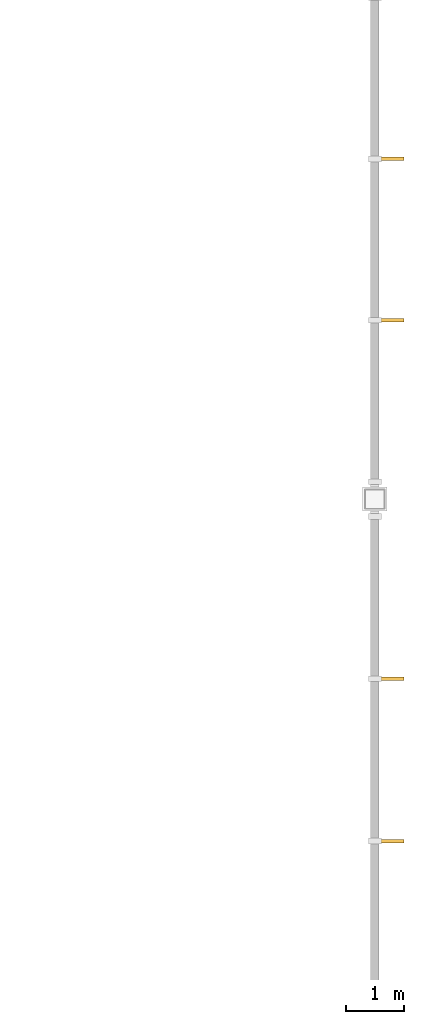
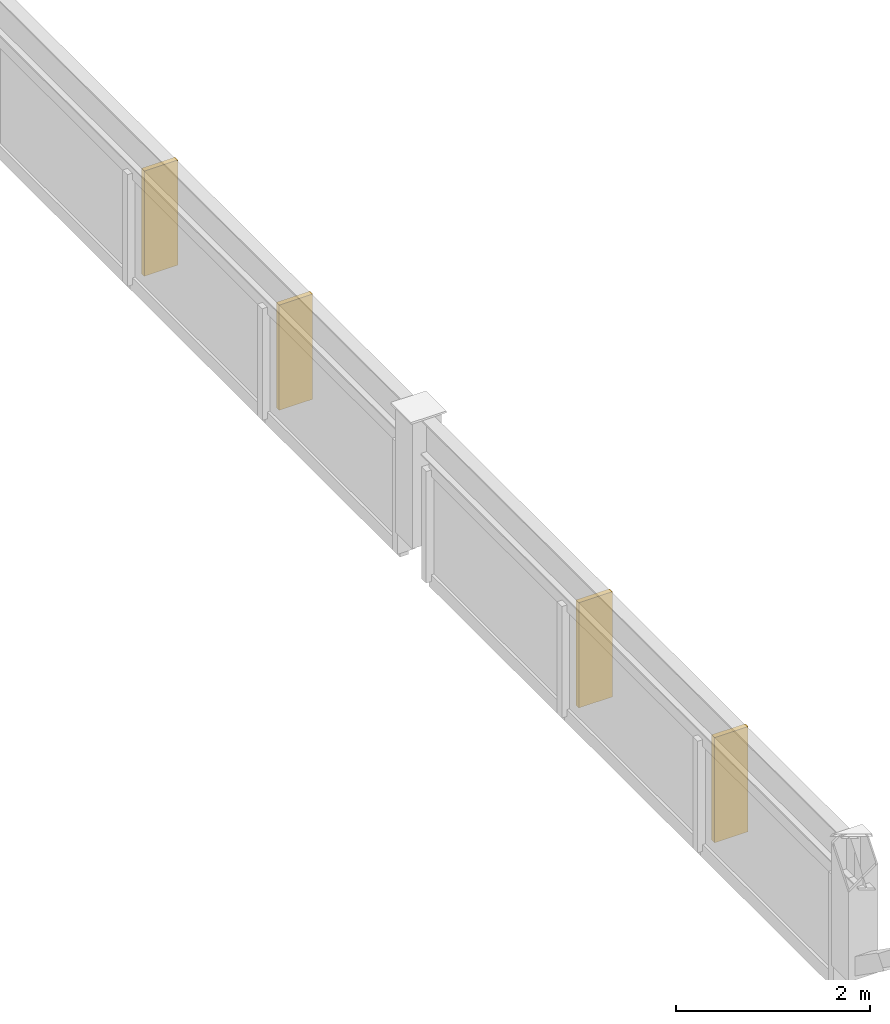
# One storey, part 89 of 89: 4 shading devices.
"""IFC4 building model written with IfcOpenShell, lengths in metres."""

from ifc_helpers import new_model, si_unit, direction, frame, origin, origin_2d, place, context, subcontext, project, spatial, rectangle, extrude, material, type_object, element, save


model = new_model("IFC4")

# Units and contexts
model_context = context("Model", 3, precision=1e-05, world=origin(), true_north=direction((0.0, 1.0)))
body_context = subcontext(model_context, "Body", "Model", "MODEL_VIEW")
ifc_project = project(units=[si_unit("LENGTHUNIT", "METRE"), si_unit("AREAUNIT", "SQUARE_METRE"), si_unit("VOLUMEUNIT", "CUBIC_METRE"), si_unit("PLANEANGLEUNIT", "RADIAN"), si_unit("MASSUNIT", "GRAM", prefix="KILO")], contexts=[model_context])

# Site, building, storey
site_placement = place(None, origin())
site = spatial("IfcSite", under=ifc_project, at=site_placement, CompositionType="ELEMENT")
building_placement = place(site_placement, origin())
building = spatial("IfcBuilding", under=site, at=building_placement, Name="Suirenkawa Promenade Aquatics Centre", CompositionType="ELEMENT")
storey_placement = place(building_placement, frame((0.0, 0.0, 9.60009765625)))
storey = spatial("IfcBuildingStorey", under=building, at=storey_placement, Name="L02", CompositionType="ELEMENT", Elevation=9.60009765625)

# Shading devices
ifc_material = material(Name="Anodised aluminium 6063-T6", Category="aluminium")
shading_device_type = type_object("IfcShadingDeviceType", Name="SDT-KOUSHI-400", PredefinedType="USERDEFINED", material=ifc_material)
for number, where, z_axis, x_axis, name in (
    (1, (194.701904296875, 74.30029296875, -0.31005859375), (0.0, 0.0, 1.0), (1.0, 0.0, 0.0), "Vertical solar shading fin FN-01 FIN-0029"),
    (2, (194.701904296875, 71.499755859375, -0.31005859375), (0.0, 0.0, 1.0), (1.0, 0.0, 0.0), "Vertical solar shading fin FN-01 FIN-0030"),
    (3, (194.701904296875, 83.26708984375, -0.31005859375), (0.0, 0.0, 1.0), (1.0, 0.0, 0.0), "Vertical solar shading fin FN-01 FIN-0033"),
    (4, (194.701904296875, 80.48291015625, -0.31005859375), (0.0, 0.0, 1.0), (1.0, 0.0, 0.0), "Vertical solar shading fin FN-01 FIN-0034"),
):
    element("IfcShadingDevice", number, at=place(storey_placement, frame(where, z_axis=z_axis, x_axis=x_axis)), inside=storey, type_object=shading_device_type, Name=name, ObjectType="FIN", PredefinedType="USERDEFINED", context=body_context, shape_type="SweptSolid", body=[
        extrude(rectangle(XDim=0.39990234375, YDim=0.06005859375, at=origin_2d()), origin(), (0.0, 0.0, 1.0), 1.324951171875),
    ])

save(model, "model.ifc")
